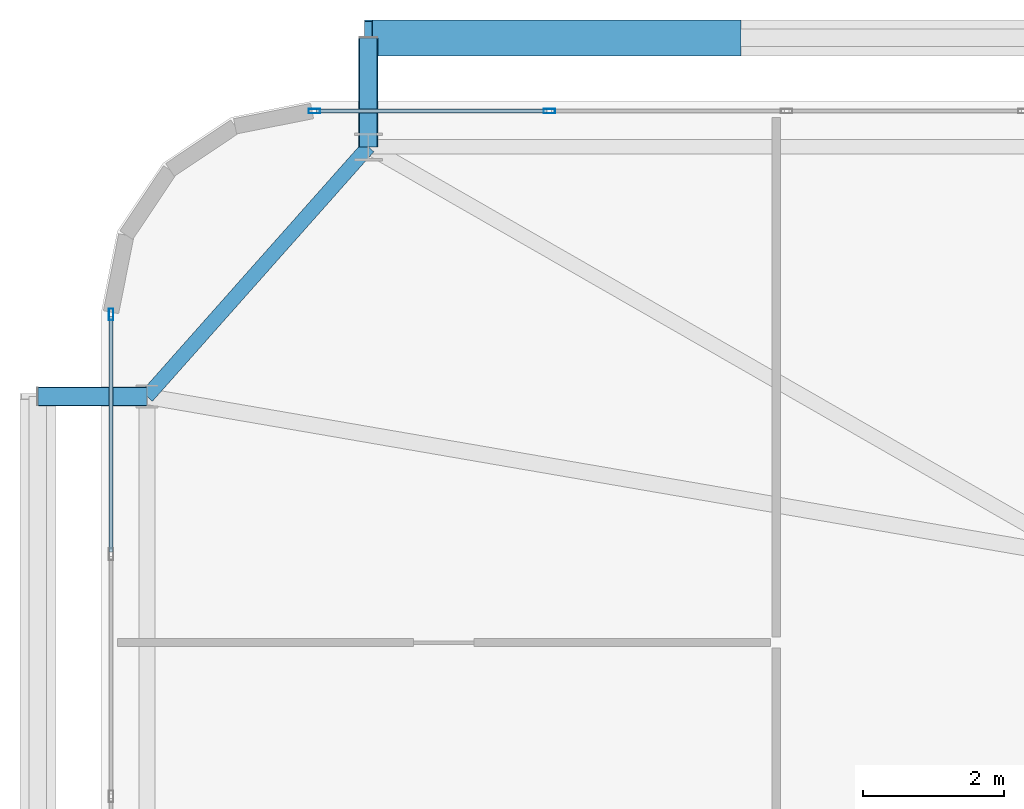
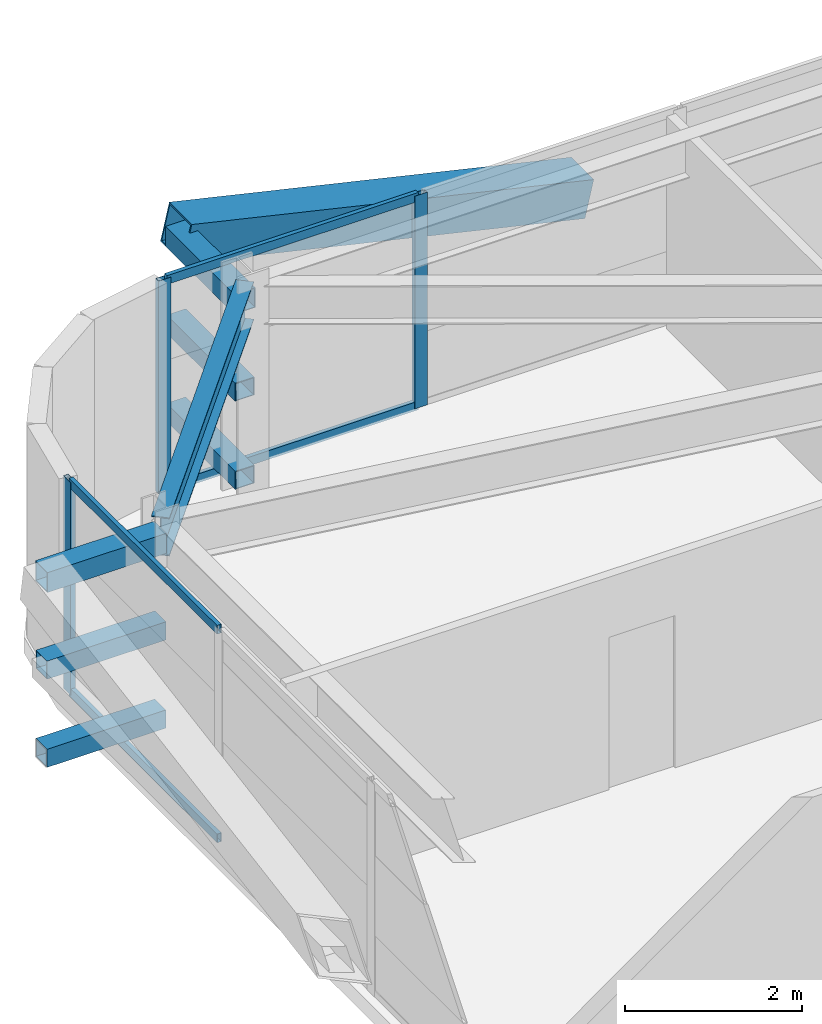
# One storey, part 33 of 58: 14 members, 1 beam, 2 elements without a shape of their own.
"""IFC4 building model written with IfcOpenShell, lengths in metres."""

from ifc_helpers import new_model, si_unit, direction, frame, origin, origin_2d, place, context, subcontext, project, spatial, hollow_rectangle, i_section, extrude, source, transform, mapped, material, layer, layer_set, material_profile, profile_set, type_object, element, aggregate, save


model = new_model("IFC4")

# Units and contexts
model_context = context("Model", 3, precision=1e-05, world=origin(), true_north=direction((0.0, 1.0)))
body_context = subcontext(model_context, "Body", "Model", "MODEL_VIEW")
ifc_project = project(units=[si_unit("LENGTHUNIT", "METRE"), si_unit("AREAUNIT", "SQUARE_METRE"), si_unit("VOLUMEUNIT", "CUBIC_METRE"), si_unit("PLANEANGLEUNIT", "RADIAN"), si_unit("MASSUNIT", "GRAM", prefix="KILO")], contexts=[model_context])

# Site, building, storey
site_placement = place(None, origin())
site = spatial("IfcSite", under=ifc_project, at=site_placement, CompositionType="ELEMENT")
building_placement = place(site_placement, origin())
building = spatial("IfcBuilding", under=site, at=building_placement, Name="Taldren Reach Tower", CompositionType="ELEMENT")
storey_placement = place(building_placement, frame((0.0, 0.0, 32.550048828125)))
storey = spatial("IfcBuildingStorey", under=building, at=storey_placement, Name="L09", CompositionType="ELEMENT", Elevation=32.550048828125)

# Beam
ifc_material_1 = material(Name="Steel Gr 350 (350PLUS)", Category="steel")
ifc_material_profile_1 = material_profile(ifc_material_1, i_section(OverallWidth=0.208984375, OverallDepth=0.528076171875, WebThickness=0.009521484375, FlangeThickness=0.01318359375, at=origin_2d()), Name="530UB82.0")
ifc_profile_set_1 = profile_set([ifc_material_profile_1], Name="Steel Gr 350 (350PLUS)")
beam_type = type_object("IfcBeamType", Name="SP-UB530B", PredefinedType="SPANDREL", material=ifc_profile_set_1)
shared_shape_1 = source(origin(), body_context, "Body", "SweptSolid", [
    extrude(i_section(OverallWidth=0.208984375, OverallDepth=0.528076171875, WebThickness=0.009521484375, FlangeThickness=0.01318359375, at=origin_2d()), origin(), (0.0, 0.0, 1.0), 4.74609375),
])
beam_placement = place(storey_placement, frame((8.800048828125, 37.85009765625, 2.666015625), z_axis=(-0.663721843779, -0.747979487747, 0.0), x_axis=(0.747979487747, -0.663721843779, 0.0)))
element("IfcBeam", 1, at=beam_placement, inside=storey, type_object=beam_type, Name="Perimeter spandrel B1 N1-W3 L09", PredefinedType="SPANDREL", context=body_context, shape_type="MappedRepresentation", body=[
    mapped(shared_shape_1, transform((0.0, 0.0, 0.0), scale=1.0)),
])

# Members
ifc_material_2 = material(Name="Steel Gr 450 (C450L0)", Category="steel")
ifc_material_profile_2 = material_profile(ifc_material_2, hollow_rectangle(XDim=0.27490234375, YDim=0.27490234375, WallThickness=0.00927734375, at=origin_2d()), Name="275x275x9.3SHS")
ifc_profile_set_2 = profile_set([ifc_material_profile_2], Name="Steel Gr 450 (C450L0)")
member_type_1 = type_object("IfcMemberType", Name="MB-TIE273", PredefinedType="STRUT", material=ifc_profile_set_2)
shared_shape_2 = source(origin(), body_context, "Body", "SweptSolid", [
    extrude(hollow_rectangle(XDim=0.27490234375, YDim=0.27490234375, WallThickness=0.00927734375, at=origin_2d()), origin(), (0.0, 0.0, 1.0), 1.5498046875),
])
for number, where, z_axis, x_axis, name in (
    (2, (8.800048828125, 37.85009765625, 2.64990234375), (0.0, 1.0, 0.0), (-1.0, 0.0, 0.0), "Exoskeleton diaphragm tie strut B1-N1 L09"),
    (3, (5.64990234375, 34.300048828125, 2.64990234375), (-1.0, 0.0, 0.0), (0.0, -1.0, 0.0), "Exoskeleton diaphragm tie strut B1-W3 L09"),
):
    element("IfcMember", number, at=place(storey_placement, frame(where, z_axis=z_axis, x_axis=x_axis)), inside=storey, type_object=member_type_1, Name=name, PredefinedType="STRUT", context=body_context, shape_type="MappedRepresentation", body=[
        mapped(shared_shape_2, transform((0.0, 0.0, 0.0), scale=1.0)),
    ])
ifc_material_profile_3 = material_profile(ifc_material_2, hollow_rectangle(XDim=0.510009765625, YDim=0.510009765625, WallThickness=0.02001953125, at=origin_2d()), Name="510x510x20.0SHS")
ifc_profile_set_3 = profile_set([ifc_material_profile_3], Name="Steel Gr 450 (C450L0)")
member_type_2 = type_object("IfcMemberType", Name="MB-EXO508", PredefinedType="BRACE", material=ifc_profile_set_3)
shared_shape_3 = source(origin(), body_context, "Body", "SweptSolid", [
    extrude(hollow_rectangle(XDim=0.510009765625, YDim=0.510009765625, WallThickness=0.02001953125, at=origin_2d()), origin(), (0.0, 0.0, 1.0), 5.37890625),
])
member_1_placement = place(storey_placement, frame((14.0400390625, 39.39990234375, 1.43505859375), z_axis=(-0.974161966843, 0.0, 0.225850531007), x_axis=(0.0, -1.0, 0.0)))
element("IfcMember", 4, at=member_1_placement, inside=storey, type_object=member_type_2, Name="Exoskeleton Diagrid Brace B1-N1 L09", PredefinedType="BRACE", context=body_context, shape_type="MappedRepresentation", body=[
    mapped(shared_shape_3, transform((0.0, 0.0, 0.0), scale=1.0)),
])
ifc_material_3 = material(Name="Steel Gr 350 (C350L0)", Category="steel")
ifc_material_profile_4 = material_profile(ifc_material_3, hollow_rectangle(XDim=0.25, YDim=0.25, WallThickness=0.010009765625, at=origin_2d()), Name="250x250x10.0SHS")
ifc_profile_set_4 = profile_set([ifc_material_profile_4], Name="Steel Gr 350 (C350L0)")
member_type_3 = type_object("IfcMemberType", Name="MB-POST250", PredefinedType="POST", material=ifc_profile_set_4)
shared_shape_4 = source(origin(), body_context, "Body", "SweptSolid", [
    extrude(hollow_rectangle(XDim=0.25, YDim=0.25, WallThickness=0.010009765625, at=origin_2d()), origin(), (0.0, 0.0, 1.0), 1.5498046875),
])
for number, where, z_axis, x_axis, name in (
    (5, (8.800048828125, 37.85009765625, 0.219970703125), (0.0, 1.0, 0.0), (-1.0, 0.0, 0.0), "Exoskeleton base diaphragm tie strut B1-N1 L09"),
    (6, (5.64990234375, 34.300048828125, 0.219970703125), (-1.0, 0.0, 0.0), (0.0, -1.0, 0.0), "Exoskeleton base diaphragm tie strut B1-W3 L09"),
    (7, (8.800048828125, 37.85009765625, 1.43505859375), (0.0, 1.0, 0.0), (-1.0, 0.0, 0.0), "Exoskeleton mid-tier diaphragm tie B1-N1 L09"),
    (8, (5.64990234375, 34.300048828125, 1.43505859375), (-1.0, 0.0, 0.0), (0.0, -1.0, 0.0), "Exoskeleton mid-tier diaphragm tie B1-W3 L09"),
):
    element("IfcMember", number, at=place(storey_placement, frame(where, z_axis=z_axis, x_axis=x_axis)), inside=storey, type_object=member_type_3, Name=name, PredefinedType="POST", context=body_context, shape_type="MappedRepresentation", body=[
        mapped(shared_shape_4, transform((0.0, 0.0, 0.0), scale=1.0)),
    ])

# Curtain wall, members
ifc_material_4 = material(Name="Aluminium and Low-E Glass Unitised System", Category="aluminium")
ifc_layer = layer(ifc_material_4, 0.159912109375)
ifc_layer_set = layer_set([ifc_layer], Name="Aluminium and Low-E Glass Unitised System")
curtain_wall_type = type_object("IfcCurtainWallType", Name="CW-SYS-2", PredefinedType="NOTDEFINED", material=ifc_layer_set)
curtain_wall_1_placement = place(storey_placement, origin())
curtain_wall_1 = element("IfcCurtainWall", 9, at=curtain_wall_1_placement, inside=storey, type_object=curtain_wall_type, Name="Unitised curtain wall CW-L09-N", PredefinedType="NOTDEFINED")
ifc_material_5 = material(Name="Anodised Aluminium 6063-T6", Category="aluminium")
ifc_material_profile_5 = material_profile(ifc_material_5, hollow_rectangle(XDim=0.06494140625, YDim=0.1650390625, WallThickness=0.00390625, at=origin_2d()), Name="ALU-165x65x4RHS")
ifc_profile_set_5 = profile_set([ifc_material_profile_5], Name="Anodised Aluminium 6063-T6")
member_type_4 = type_object("IfcMemberType", Name="CW-MUL-165", PredefinedType="MULLION", material=ifc_profile_set_5)
shared_shape_5 = source(origin(), body_context, "Body", "SweptSolid", [
    extrude(hollow_rectangle(XDim=0.06494140625, YDim=0.1650390625, WallThickness=0.00390625, at=origin_2d()), origin(), (0.0, 0.0, 1.0), 2.929931640625),
])
member_2_placement = place(storey_placement, frame((11.375, 38.360107421875, 0.0), z_axis=(0.0, 0.0, 1.0), x_axis=(0.0, -1.0, 0.0)))
member_2 = element("IfcMember", 10, at=member_2_placement, type_object=member_type_4, Name="CW-2 mullion 16", PredefinedType="MULLION", context=body_context, shape_type="MappedRepresentation", body=[
    mapped(shared_shape_5, transform((0.0, 0.0, 0.0), scale=1.0)),
])
member_3_placement = place(storey_placement, frame((8.032470703125, 38.360107421875, 0.0), z_axis=(0.0, 0.0, 1.0), x_axis=(0.0, -1.0, 0.0)))
member_3 = element("IfcMember", 11, at=member_3_placement, type_object=member_type_4, Name="CW-2 mullion 17", PredefinedType="MULLION", context=body_context, shape_type="MappedRepresentation", body=[
    mapped(shared_shape_5, transform((0.0, 0.0, 0.0), scale=1.0)),
])

# Curtain wall, member
curtain_wall_2_placement = place(storey_placement, origin())
curtain_wall_2 = element("IfcCurtainWall", 12, at=curtain_wall_2_placement, inside=storey, type_object=curtain_wall_type, Name="Unitised curtain wall CW-L09-W", PredefinedType="NOTDEFINED")
member_4_placement = place(storey_placement, frame((5.139892578125, 35.467529296875, 0.0), z_axis=(0.0, 0.0, 1.0), x_axis=(1.0, 0.0, 0.0)))
member_4 = element("IfcMember", 13, at=member_4_placement, type_object=member_type_4, Name="CW-2 mullion 1", PredefinedType="MULLION", context=body_context, shape_type="MappedRepresentation", body=[
    mapped(shared_shape_5, transform((0.0, 0.0, 0.0), scale=1.0)),
])

# Member
ifc_material_profile_6 = material_profile(ifc_material_5, hollow_rectangle(XDim=0.054931640625, YDim=0.1201171875, WallThickness=0.0029296875, at=origin_2d()), Name="ALU-120x55x3RHS")
ifc_profile_set_6 = profile_set([ifc_material_profile_6], Name="Anodised Aluminium 6063-T6")
member_type_5 = type_object("IfcMemberType", Name="CW-TRN-135", PredefinedType="USERDEFINED", material=ifc_profile_set_6)
shared_shape_6 = source(origin(), body_context, "Body", "SweptSolid", [
    extrude(hollow_rectangle(XDim=0.054931640625, YDim=0.1201171875, WallThickness=0.0029296875, at=origin_2d()), origin(), (0.0, 0.0, 1.0), 3.277587890625),
])
member_5_placement = place(storey_placement, frame((11.342529296875, 38.360107421875, 0.02734375), z_axis=(-1.0, 0.0, 0.0), x_axis=(0.0, -1.0, 0.0)))
member_5 = element("IfcMember", 14, at=member_5_placement, type_object=member_type_5, Name="CW-2 transom 16.1", ObjectType="TRANSOM", PredefinedType="USERDEFINED", context=body_context, shape_type="MappedRepresentation", body=[
    mapped(shared_shape_6, transform((0.0, 0.0, 0.0), scale=1.0)),
])

member_6_placement = place(storey_placement, frame((11.342529296875, 38.360107421875, 2.90234375), z_axis=(-1.0, 0.0, 0.0), x_axis=(0.0, -1.0, 0.0)))
member_6 = element("IfcMember", 15, at=member_6_placement, type_object=member_type_5, Name="CW-2 transom 16.2", ObjectType="TRANSOM", PredefinedType="USERDEFINED", context=body_context, shape_type="MappedRepresentation", body=[
    mapped(shared_shape_6, transform((0.0, 0.0, 0.0), scale=1.0)),
])

aggregate(curtain_wall_1, [member_2, member_3, member_5, member_6])

shared_shape_7 = source(origin(), body_context, "Body", "SweptSolid", [
    extrude(hollow_rectangle(XDim=0.054931640625, YDim=0.1201171875, WallThickness=0.0029296875, at=origin_2d()), origin(), (0.0, 0.0, 1.0), 3.346923828125),
])
member_7_placement = place(storey_placement, frame((5.139892578125, 35.43505859375, 0.02734375), z_axis=(0.0, -1.0, 0.0), x_axis=(1.0, 0.0, 0.0)))
member_7 = element("IfcMember", 16, at=member_7_placement, type_object=member_type_5, Name="CW-2 transom 1.1", ObjectType="TRANSOM", PredefinedType="USERDEFINED", context=body_context, shape_type="MappedRepresentation", body=[
    mapped(shared_shape_7, transform((0.0, 0.0, 0.0), scale=1.0)),
])

member_8_placement = place(storey_placement, frame((5.139892578125, 35.43505859375, 2.90234375), z_axis=(0.0, -1.0, 0.0), x_axis=(1.0, 0.0, 0.0)))
member_8 = element("IfcMember", 17, at=member_8_placement, type_object=member_type_5, Name="CW-2 transom 1.2", ObjectType="TRANSOM", PredefinedType="USERDEFINED", context=body_context, shape_type="MappedRepresentation", body=[
    mapped(shared_shape_7, transform((0.0, 0.0, 0.0), scale=1.0)),
])

aggregate(curtain_wall_2, [member_4, member_7, member_8])

save(model, "model.ifc")
